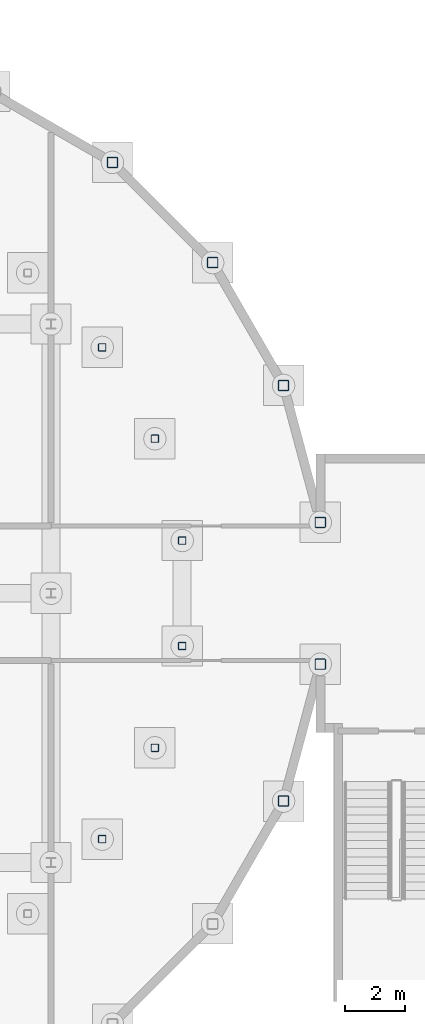
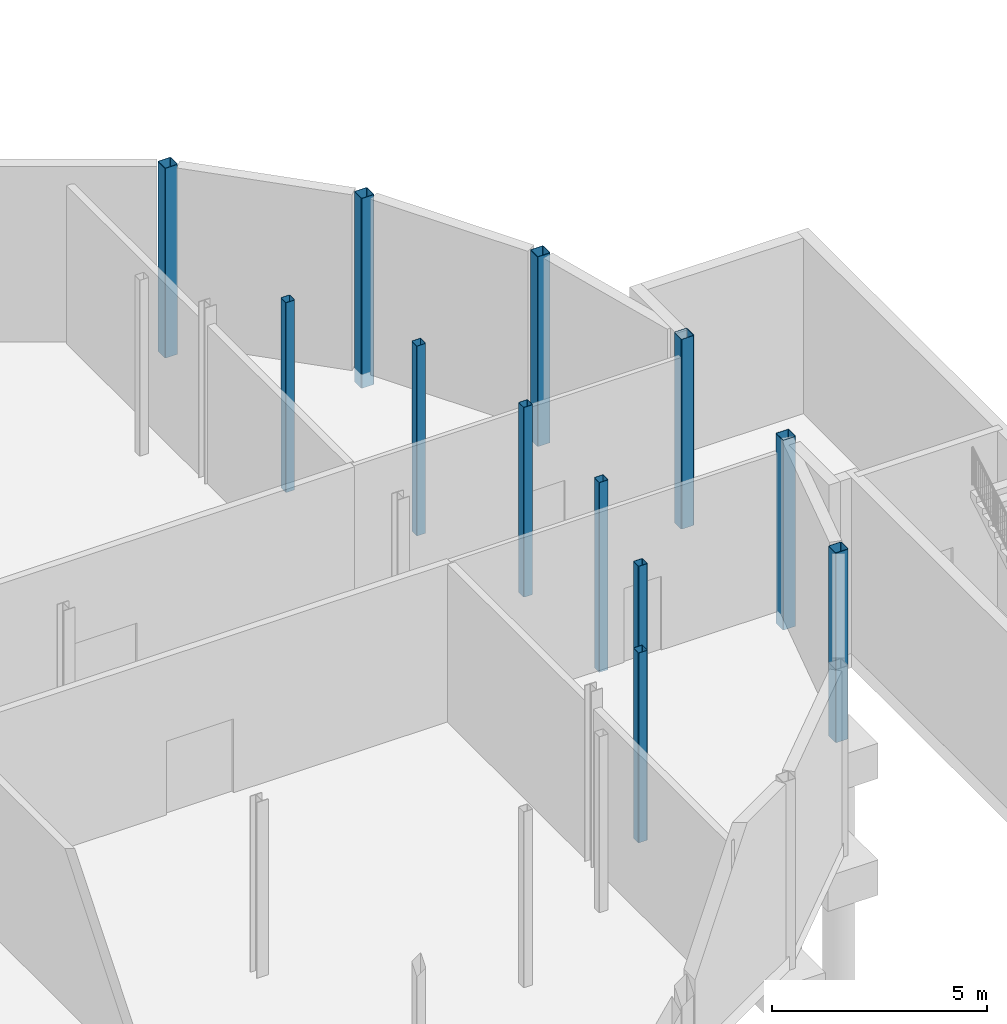
# One storey, part 11 of 25: 12 columns.
"""IFC4 building model written with IfcOpenShell, lengths in metres."""

from ifc_helpers import new_model, si_unit, direction, frame, origin, origin_2d, place, context, subcontext, project, spatial, hollow_rectangle, extrude, material, material_profile, profile_set, type_object, element, save


model = new_model("IFC4")

# Units and contexts
model_context = context("Model", 3, precision=1e-05, world=origin(), true_north=direction((0.0, 1.0)))
body_context = subcontext(model_context, "Body", "Model", "MODEL_VIEW")
ifc_project = project(units=[si_unit("LENGTHUNIT", "METRE"), si_unit("AREAUNIT", "SQUARE_METRE"), si_unit("VOLUMEUNIT", "CUBIC_METRE"), si_unit("PLANEANGLEUNIT", "RADIAN"), si_unit("MASSUNIT", "GRAM", prefix="KILO")], contexts=[model_context])

# Site, building, storey
site_placement = place(None, origin())
site = spatial("IfcSite", under=ifc_project, at=site_placement, CompositionType="ELEMENT")
building_placement = place(site_placement, origin())
building = spatial("IfcBuilding", under=site, at=building_placement, Name="Hortulan Conservatory and Botanical Research Centre", CompositionType="ELEMENT")
storey_placement = place(building_placement, frame((0.0, 0.0, -5.0)))
storey = spatial("IfcBuildingStorey", under=building, at=storey_placement, Name="B1", CompositionType="ELEMENT", Elevation=-5.0)

# Columns
ifc_material = material(Name="Steel Grade C450L0 (450 MPa, AS/NZS 1163)", Category="steel")
ifc_material_profile_1 = material_profile(ifc_material, hollow_rectangle(XDim=0.35009765625, YDim=0.35009765625, WallThickness=0.012451171875, InnerFilletRadius=0.018798828125, OuterFilletRadius=0.03125, at=origin_2d()), Name="350x350x12.5SHS")
ifc_profile_set_1 = profile_set([ifc_material_profile_1], Name="Steel Grade C450L0 (450 MPa, AS/NZS 1163)")
column_type_1 = type_object("IfcColumnType", Name="Dome Drum Column 350x350x12.5 SHS", PredefinedType="COLUMN", material=ifc_profile_set_1)
for number, where, z_axis, x_axis, name in (
    (1, (72.0, 20.36962890625, -0.39990234375), (0.0, 0.0, 1.0), (1.0, 0.0, 0.0), "Dome drum column 01 B1"),
    (2, (70.773193359375, 24.94775390625, -0.39990234375), (0.0, 0.0, 1.0), (1.0, 0.0, 0.0), "Dome drum column 02 B1"),
    (3, (68.403564453125, 29.05224609375, -0.39990234375), (0.0, 0.0, 1.0), (1.0, 0.0, 0.0), "Dome drum column 03 B1"),
    (4, (65.05224609375, 32.403564453125, -0.39990234375), (0.0, 0.0, 1.0), (1.0, 0.0, 0.0), "Dome drum column 04 B1"),
    (5, (70.773193359375, 11.05224609375, -0.39990234375), (0.0, 0.0, 1.0), (1.0, 0.0, 0.0), "Dome drum column 23 B1"),
    (6, (72.0, 15.63037109375, -0.39990234375), (0.0, 0.0, 1.0), (1.0, 0.0, 0.0), "Dome drum column 24 B1"),
):
    element("IfcColumn", number, at=place(storey_placement, frame(where, z_axis=z_axis, x_axis=x_axis)), inside=storey, type_object=column_type_1, Name=name, PredefinedType="COLUMN", context=body_context, shape_type="SweptSolid", body=[
        extrude(hollow_rectangle(XDim=0.35009765625, YDim=0.35009765625, WallThickness=0.012451171875, InnerFilletRadius=0.018798828125, OuterFilletRadius=0.03125, at=origin_2d()), origin(), (0.0, 0.0, 1.0), 5.39990234375),
    ])
ifc_material_profile_2 = material_profile(ifc_material, hollow_rectangle(XDim=0.25, YDim=0.25, WallThickness=0.009033203125, InnerFilletRadius=0.013427734375, OuterFilletRadius=0.0224609375, at=origin_2d()), Name="250x250x9SHS")
ifc_profile_set_2 = profile_set([ifc_material_profile_2], Name="Steel Grade C450L0 (450 MPa, AS/NZS 1163)")
column_type_2 = type_object("IfcColumnType", Name="Dome Walk Support Column 250x250x9 SHS", PredefinedType="COLUMN", material=ifc_profile_set_2)
for number, where, z_axis, x_axis, name in (
    (7, (67.384521484375, 19.76220703125, -0.39990234375), (0.0, 0.0, 1.0), (1.0, 0.0, 0.0), "Dome walk support 01 B1"),
    (8, (66.472412109375, 23.166259765625, -0.39990234375), (0.0, 0.0, 1.0), (1.0, 0.0, 0.0), "Dome walk support 02 B1"),
    (9, (64.710205078125, 26.21826171875, -0.39990234375), (0.0, 0.0, 1.0), (1.0, 0.0, 0.0), "Dome walk support 03 B1"),
    (10, (64.710205078125, 9.78173828125, -0.39990234375), (0.0, 0.0, 1.0), (1.0, 0.0, 0.0), "Dome walk support 22 B1"),
    (11, (66.472412109375, 12.833740234375, -0.39990234375), (0.0, 0.0, 1.0), (1.0, 0.0, 0.0), "Dome walk support 23 B1"),
    (12, (67.384521484375, 16.23779296875, -0.39990234375), (0.0, 0.0, 1.0), (1.0, 0.0, 0.0), "Dome walk support 24 B1"),
):
    element("IfcColumn", number, at=place(storey_placement, frame(where, z_axis=z_axis, x_axis=x_axis)), inside=storey, type_object=column_type_2, Name=name, PredefinedType="COLUMN", context=body_context, shape_type="SweptSolid", body=[
        extrude(hollow_rectangle(XDim=0.25, YDim=0.25, WallThickness=0.009033203125, InnerFilletRadius=0.013427734375, OuterFilletRadius=0.0224609375, at=origin_2d()), origin(), (0.0, 0.0, 1.0), 5.39990234375),
    ])

save(model, "model.ifc")
